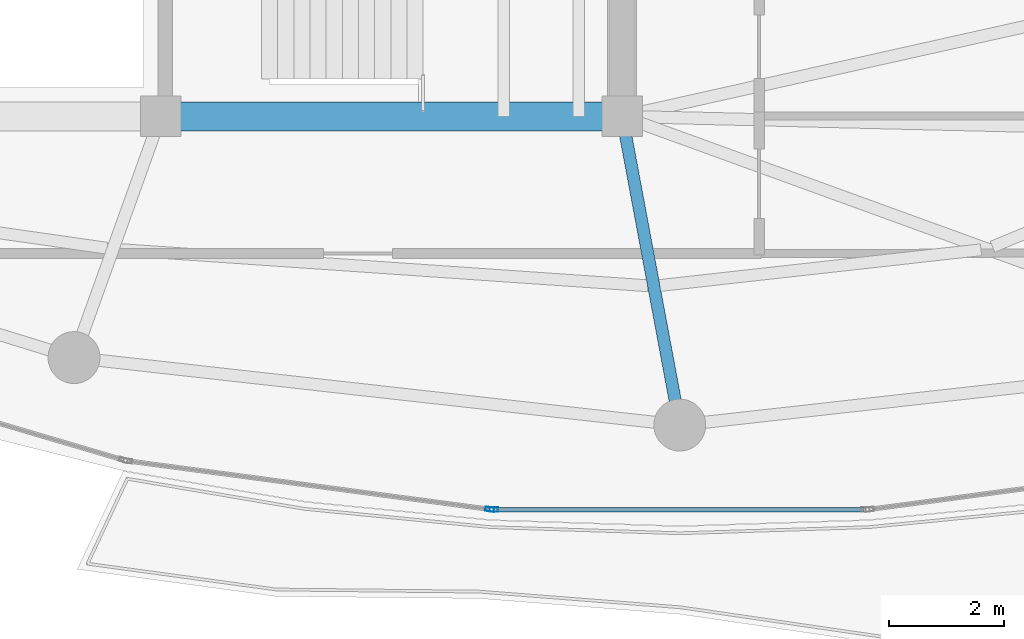
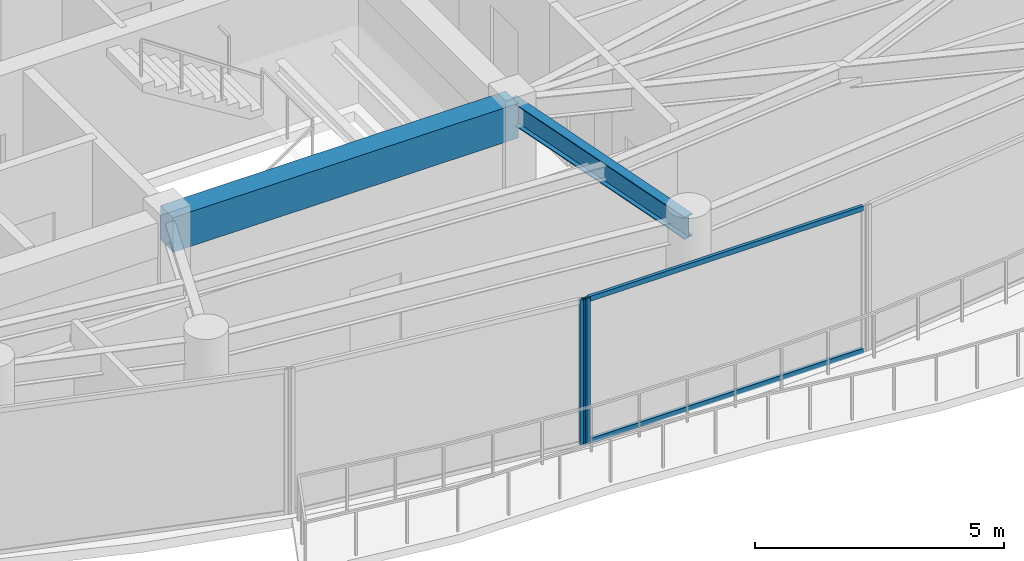
# One storey, part 7 of 30: 4 members, 2 beams, 2 elements without a shape of their own.
"""IFC4 building model written with IfcOpenShell, lengths in metres."""

from ifc_helpers import new_model, si_unit, direction, frame, origin, origin_2d, place, context, subcontext, project, spatial, rectangle, hollow_rectangle, i_section, extrude, material, layer, layer_set, material_profile, profile_set, type_object, element, aggregate, save


model = new_model("IFC4")

# Units and contexts
model_context = context("Model", 3, precision=1e-05, world=origin(), true_north=direction((0.0, 1.0)))
body_context = subcontext(model_context, "Body", "Model", "MODEL_VIEW")
ifc_project = project(units=[si_unit("LENGTHUNIT", "METRE"), si_unit("AREAUNIT", "SQUARE_METRE"), si_unit("VOLUMEUNIT", "CUBIC_METRE"), si_unit("PLANEANGLEUNIT", "RADIAN"), si_unit("MASSUNIT", "GRAM", prefix="KILO")], contexts=[model_context])

# Site, building, storey
site_placement = place(None, origin())
site = spatial("IfcSite", under=ifc_project, at=site_placement, CompositionType="ELEMENT")
building_placement = place(site_placement, origin())
building = spatial("IfcBuilding", under=site, at=building_placement, Name="Kazevale Care Tower and Concert Hall", CompositionType="ELEMENT")
storey_placement = place(building_placement, frame((0.0, 0.0, 258.60009765625)))
storey = spatial("IfcBuildingStorey", under=building, at=storey_placement, Name="L68", CompositionType="ELEMENT", Elevation=258.60009765625)

# Curtain wall, member
ifc_material_1 = material(Name="Aluminium 6063-T6 and Low-E Glass", Category="aluminium")
ifc_layer = layer(ifc_material_1, 0.179931640625)
ifc_layer_set = layer_set([ifc_layer], Name="Aluminium 6063-T6 and Low-E Glass")
curtain_wall_type = type_object("IfcCurtainWallType", Name="Sheltered Concave Balcony Curtain Wall CW-5", PredefinedType="NOTDEFINED", material=ifc_layer_set)
curtain_wall_1_placement = place(storey_placement, origin())
curtain_wall_1 = element("IfcCurtainWall", 1, at=curtain_wall_1_placement, inside=storey, type_object=curtain_wall_type, Name="cw:L68:f06", PredefinedType="NOTDEFINED")
ifc_material_2 = material(Name="Aluminium 6063-T6", Category="aluminium")
ifc_material_profile_1 = material_profile(ifc_material_2, hollow_rectangle(XDim=0.074951171875, YDim=0.14990234375, WallThickness=0.00390625, at=origin_2d()), Name="ALU75x150x4")
ifc_profile_set_1 = profile_set([ifc_material_profile_1], Name="Aluminium 6063-T6")
member_type_1 = type_object("IfcMemberType", Name="CW-5 Mullion ALU75x150x4", PredefinedType="MULLION", material=ifc_profile_set_1)
member_1_placement = place(storey_placement, frame((41.779541015625, 16.784912109375, 0.0), z_axis=(0.0, 0.0, 1.0), x_axis=(0.0, -1.0, 0.0)))
member_1 = element("IfcMember", 2, at=member_1_placement, type_object=member_type_1, Name="CW-5 mullion 2", PredefinedType="MULLION", context=body_context, shape_type="SweptSolid", body=[
    extrude(hollow_rectangle(XDim=0.074951171875, YDim=0.14990234375, WallThickness=0.00390625, at=origin_2d()), origin(), (0.0, 0.0, 1.0), 3.559814453125),
])

curtain_wall_2_placement = place(storey_placement, origin())
curtain_wall_2 = element("IfcCurtainWall", 3, at=curtain_wall_2_placement, inside=storey, type_object=curtain_wall_type, Name="cw:L68:f07", PredefinedType="NOTDEFINED")
member_2_placement = place(storey_placement, frame((41.704833984375, 16.7900390625, 0.0), z_axis=(0.0, 0.0, 1.0), x_axis=(-0.132542069018, -0.991177380664, 0.0)))
member_2 = element("IfcMember", 4, at=member_2_placement, type_object=member_type_1, Name="CW-5 mullion 1", PredefinedType="MULLION", context=body_context, shape_type="SweptSolid", body=[
    extrude(hollow_rectangle(XDim=0.074951171875, YDim=0.14990234375, WallThickness=0.00390625, at=origin_2d()), origin(), (0.0, 0.0, 1.0), 3.559814453125),
])
aggregate(curtain_wall_2, [member_2])

# Member
ifc_material_profile_2 = material_profile(ifc_material_2, hollow_rectangle(XDim=0.074951171875, YDim=0.1201171875, WallThickness=0.00390625, at=origin_2d()), Name="ALU75x120x4")
ifc_profile_set_2 = profile_set([ifc_material_profile_2], Name="Aluminium 6063-T6")
member_type_2 = type_object("IfcMemberType", Name="CW-5 Transom ALU75x120x4", PredefinedType="USERDEFINED", material=ifc_profile_set_2)
member_3_placement = place(storey_placement, frame((48.18310546875, 16.784912109375, 0.037353515625), z_axis=(-1.0, 0.0, 0.0), x_axis=(0.0, -1.0, 0.0)))
member_3 = element("IfcMember", 5, at=member_3_placement, type_object=member_type_2, Name="CW-5 transom 1.1", ObjectType="TRANSOM", PredefinedType="USERDEFINED", context=body_context, shape_type="SweptSolid", body=[
    extrude(hollow_rectangle(XDim=0.074951171875, YDim=0.1201171875, WallThickness=0.00390625, at=origin_2d()), origin(), (0.0, 0.0, 1.0), 6.3662109375),
])

member_4_placement = place(storey_placement, frame((48.18310546875, 16.784912109375, 3.5224609375), z_axis=(-1.0, 0.0, 0.0), x_axis=(0.0, -1.0, 0.0)))
member_4 = element("IfcMember", 6, at=member_4_placement, type_object=member_type_2, Name="CW-5 transom 1.2", ObjectType="TRANSOM", PredefinedType="USERDEFINED", context=body_context, shape_type="SweptSolid", body=[
    extrude(hollow_rectangle(XDim=0.074951171875, YDim=0.1201171875, WallThickness=0.00390625, at=origin_2d()), origin(), (0.0, 0.0, 1.0), 6.3662109375),
])

aggregate(curtain_wall_1, [member_1, member_3, member_4])

# Beams
ifc_material_3 = material(Name="Concrete C60", Category="concrete")
ifc_material_profile_3 = material_profile(ifc_material_3, rectangle(XDim=0.5, YDim=0.85009765625, at=origin_2d()), Name="RC-B500x850")
ifc_profile_set_3 = profile_set([ifc_material_profile_3], Name="Concrete C60")
beam_type_1 = type_object("IfcBeamType", Name="Core Coupling Beam RC500x850", PredefinedType="LINTEL", material=ifc_profile_set_3)
beam_1_placement = place(storey_placement, frame((36.0, 23.60009765625, 3.135009765625), z_axis=(1.0, 0.0, 0.0), x_axis=(0.0, 1.0, 0.0)))
element("IfcBeam", 7, at=beam_1_placement, inside=storey, type_object=beam_type_1, Name="beam:L68:coretie:3", PredefinedType="LINTEL", context=body_context, shape_type="SweptSolid", body=[
    extrude(rectangle(XDim=0.5, YDim=0.85009765625, at=origin_2d()), origin(), (0.0, 0.0, 1.0), 8.0),
])
ifc_material_4 = material(Name="Steel ASTM A572 Gr 50", Category="steel")
ifc_material_profile_4 = material_profile(ifc_material_4, i_section(OverallWidth=0.2119140625, OverallDepth=0.5439453125, WebThickness=0.01318359375, FlangeThickness=0.021240234375, at=origin_2d()), Name="W530x123")
ifc_profile_set_4 = profile_set([ifc_material_profile_4], Name="Steel ASTM A572 Gr 50")
beam_type_2 = type_object("IfcBeamType", Name="Radial Floor Girder W530x123", PredefinedType="BEAM", material=ifc_profile_set_4)
beam_2_placement = place(storey_placement, frame((44.0, 23.60009765625, 3.287841796875), z_axis=(0.183730597003, -0.982976636408, 0.0), x_axis=(0.982976636408, 0.183730597003, 0.0)))
element("IfcBeam", 8, at=beam_2_placement, inside=storey, type_object=beam_type_2, Name="beam:L68:rad:13", PredefinedType="BEAM", context=body_context, shape_type="SweptSolid", body=[
    extrude(i_section(OverallWidth=0.2119140625, OverallDepth=0.5439453125, WebThickness=0.01318359375, FlangeThickness=0.021240234375, at=origin_2d()), origin(), (0.0, 0.0, 1.0), 5.44287109375),
])

save(model, "model.ifc")
